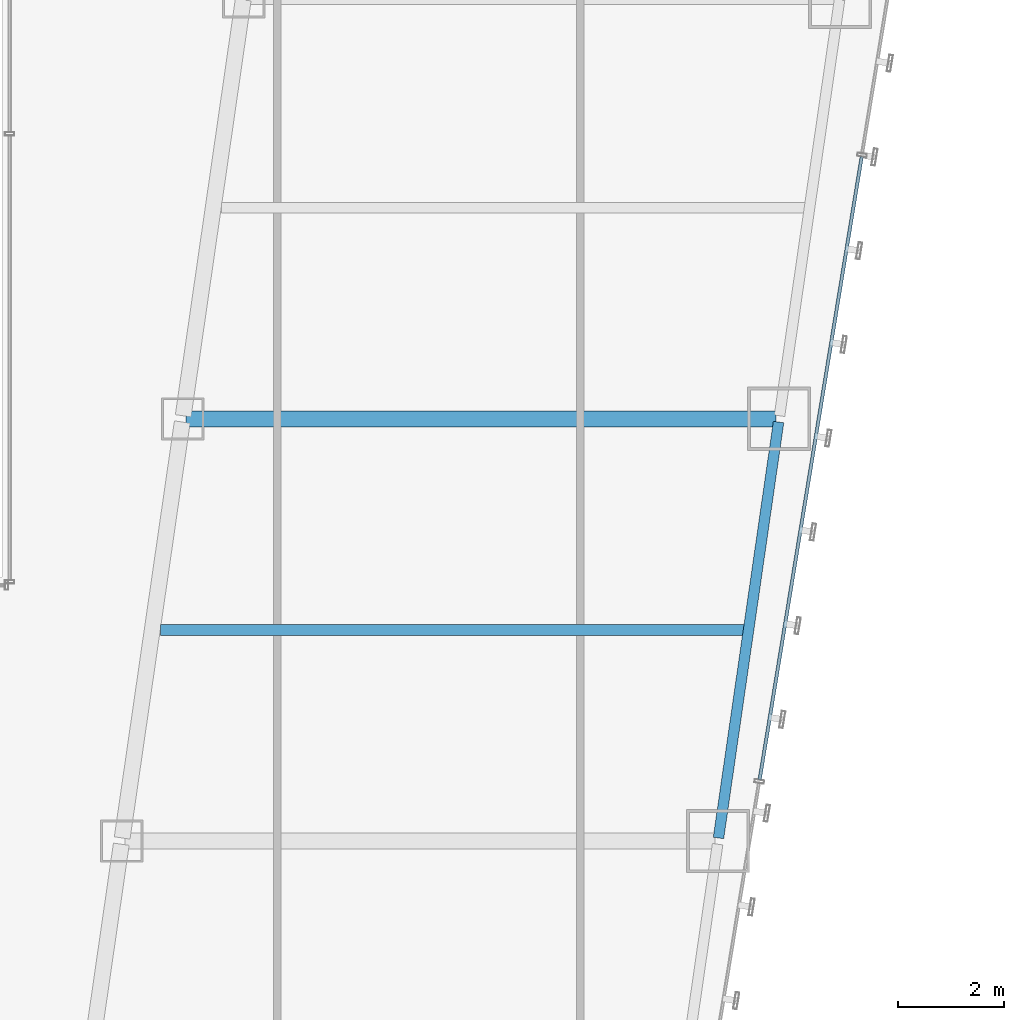
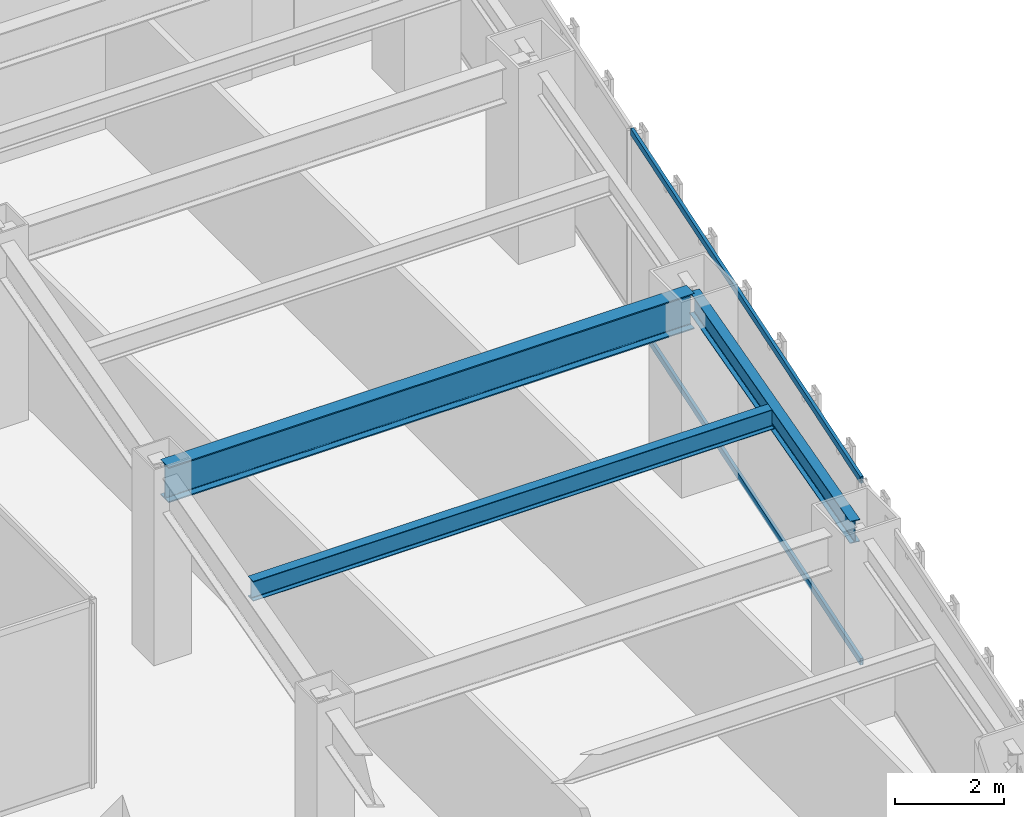
# One storey, part 19 of 49: 3 beams, 2 members, 1 element without a shape of its own.
"""IFC4 building model written with IfcOpenShell, lengths in metres."""

from ifc_helpers import new_model, si_unit, direction, frame, origin, origin_2d, place, context, subcontext, project, spatial, hollow_rectangle, i_section, extrude, material, material_profile, profile_set, type_object, element, aggregate, save


model = new_model("IFC4")

# Units and contexts
model_context = context("Model", 3, precision=1e-05, world=origin(), true_north=direction((0.0, 1.0)))
body_context = subcontext(model_context, "Body", "Model", "MODEL_VIEW")
ifc_project = project(units=[si_unit("LENGTHUNIT", "METRE"), si_unit("AREAUNIT", "SQUARE_METRE"), si_unit("VOLUMEUNIT", "CUBIC_METRE"), si_unit("PLANEANGLEUNIT", "RADIAN"), si_unit("MASSUNIT", "GRAM", prefix="KILO")], contexts=[model_context])

# Site, building, storey
site_placement = place(None, origin())
site = spatial("IfcSite", under=ifc_project, at=site_placement, CompositionType="ELEMENT")
building_placement = place(site_placement, origin())
building = spatial("IfcBuilding", under=site, at=building_placement, Name="Saevonmaru Cultural Tower", CompositionType="ELEMENT")
storey_placement = place(building_placement, frame((0.0, 0.0, 73.60009765625)))
storey = spatial("IfcBuildingStorey", under=building, at=storey_placement, Name="L15", CompositionType="ELEMENT", Elevation=73.60009765625)

# Beams
ifc_material_1 = material(Name="Steel SM420", Category="steel")
ifc_material_profile_1 = material_profile(ifc_material_1, i_section(OverallWidth=0.300048828125, OverallDepth=0.800048828125, WebThickness=0.013916015625, FlangeThickness=0.02587890625, FilletRadius=0.028076171875, at=origin_2d()), Name="H-800x300x14x26")
ifc_profile_set_1 = profile_set([ifc_material_profile_1], Name="Steel SM420")
beam_type_1 = type_object("IfcBeamType", Name="BM-G-H800", PredefinedType="BEAM", material=ifc_profile_set_1)
beam_1_placement = place(storey_placement, frame((39.2880859375, 24.0, 3.75), z_axis=(1.0, 0.0, 0.0), x_axis=(0.0, 1.0, 0.0)))
element("IfcBeam", 1, at=beam_1_placement, inside=storey, type_object=beam_type_1, Name="L15 East Wing Transverse Girder 4", PredefinedType="BEAM", context=body_context, shape_type="SweptSolid", body=[
    extrude(i_section(OverallWidth=0.300048828125, OverallDepth=0.800048828125, WebThickness=0.013916015625, FlangeThickness=0.02587890625, FilletRadius=0.028076171875, at=origin_2d()), origin(), (0.0, 0.0, 1.0), 11.179931640625),
])
ifc_material_2 = material(Name="Steel SM355", Category="steel")
ifc_material_profile_2 = material_profile(ifc_material_2, i_section(OverallWidth=0.199951171875, OverallDepth=0.449951171875, WebThickness=0.009033203125, FlangeThickness=0.013916015625, FilletRadius=0.01806640625, at=origin_2d()), Name="H-450x200x9x14")
ifc_profile_set_2 = profile_set([ifc_material_profile_2], Name="Steel SM355")
beam_type_2 = type_object("IfcBeamType", Name="BM-J-H450", PredefinedType="JOIST", material=ifc_profile_set_2)
beam_2_placement = place(storey_placement, frame((38.80810546875, 20.0, 3.9248046875), z_axis=(1.0, 0.0, 0.0), x_axis=(0.0, 1.0, 0.0)))
element("IfcBeam", 2, at=beam_2_placement, inside=storey, type_object=beam_type_2, Name="L15 East Wing Floor Joist 3", PredefinedType="JOIST", context=body_context, shape_type="SweptSolid", body=[
    extrude(i_section(OverallWidth=0.199951171875, OverallDepth=0.449951171875, WebThickness=0.009033203125, FlangeThickness=0.013916015625, FilletRadius=0.01806640625, at=origin_2d()), origin(), (0.0, 0.0, 1.0), 11.081787109375),
])
ifc_material_profile_3 = material_profile(ifc_material_2, i_section(OverallWidth=0.199951171875, OverallDepth=0.5, WebThickness=0.010009765625, FlangeThickness=0.01611328125, FilletRadius=0.02001953125, at=origin_2d()), Name="H-500x200x10x16")
ifc_profile_set_3 = profile_set([ifc_material_profile_3], Name="Steel SM355")
beam_type_3 = type_object("IfcBeamType", Name="BM-SP-H500", PredefinedType="SPANDREL", material=ifc_profile_set_3)
beam_3_placement = place(storey_placement, frame((49.380615234375, 16.059326171875, 3.89990234375), z_axis=(0.142992129437, 0.989723825579, 0.0), x_axis=(-0.989723825579, 0.142992129437, 0.0)))
element("IfcBeam", 3, at=beam_3_placement, inside=storey, type_object=beam_type_3, Name="L15 East Splayed Spandrel 3", PredefinedType="SPANDREL", context=body_context, shape_type="SweptSolid", body=[
    extrude(i_section(OverallWidth=0.199951171875, OverallDepth=0.5, WebThickness=0.010009765625, FlangeThickness=0.01611328125, FilletRadius=0.02001953125, at=origin_2d()), origin(), (0.0, 0.0, 1.0), 7.963134765625),
])

# Curtain wall, members
ifc_material_3 = material(Name="Satin Bronze Anodised Aluminium", Category="aluminium")
curtain_wall_type = type_object("IfcCurtainWallType", Name="CW-TYP-A", PredefinedType="NOTDEFINED", material=ifc_material_3)
curtain_wall_placement = place(storey_placement, origin())
curtain_wall = element("IfcCurtainWall", 4, at=curtain_wall_placement, inside=storey, type_object=curtain_wall_type, Name="L15 Unitised Curtain Wall E8", PredefinedType="NOTDEFINED")
ifc_material_profile_4 = material_profile(ifc_material_3, hollow_rectangle(XDim=0.06494140625, YDim=0.14990234375, WallThickness=0.00390625, at=origin_2d()), Name="ALU-TRAN-150x65x4")
ifc_profile_set_4 = profile_set([ifc_material_profile_4], Name="Satin Bronze Anodised Aluminium")
member_type = type_object("IfcMemberType", Name="TR-CW-150x65", PredefinedType="USERDEFINED", material=ifc_profile_set_4)
member_1_placement = place(storey_placement, frame((50.16015625, 17.16162109375, 0.032470703125), z_axis=(0.161701400727, 0.986839732177, 0.0), x_axis=(-0.986839732177, 0.161701400727, 0.0)))
member_1 = element("IfcMember", 5, at=member_1_placement, type_object=member_type, Name="CW-TW-L15-E8 transom 2.1", ObjectType="TRANSOM", PredefinedType="USERDEFINED", context=body_context, shape_type="SweptSolid", body=[
    extrude(hollow_rectangle(XDim=0.06494140625, YDim=0.14990234375, WallThickness=0.00390625, at=origin_2d()), origin(), (0.0, 0.0, 1.0), 11.9638671875),
])
member_2_placement = place(storey_placement, frame((50.16015625, 17.16162109375, 4.117431640625), z_axis=(0.161701400727, 0.986839732177, 0.0), x_axis=(-0.986839732177, 0.161701400727, 0.0)))
member_2 = element("IfcMember", 6, at=member_2_placement, type_object=member_type, Name="CW-TW-L15-E8 transom 2.2", ObjectType="TRANSOM", PredefinedType="USERDEFINED", context=body_context, shape_type="SweptSolid", body=[
    extrude(hollow_rectangle(XDim=0.06494140625, YDim=0.14990234375, WallThickness=0.00390625, at=origin_2d()), origin(), (0.0, 0.0, 1.0), 11.9638671875),
])
aggregate(curtain_wall, [member_1, member_2])

save(model, "model.ifc")
